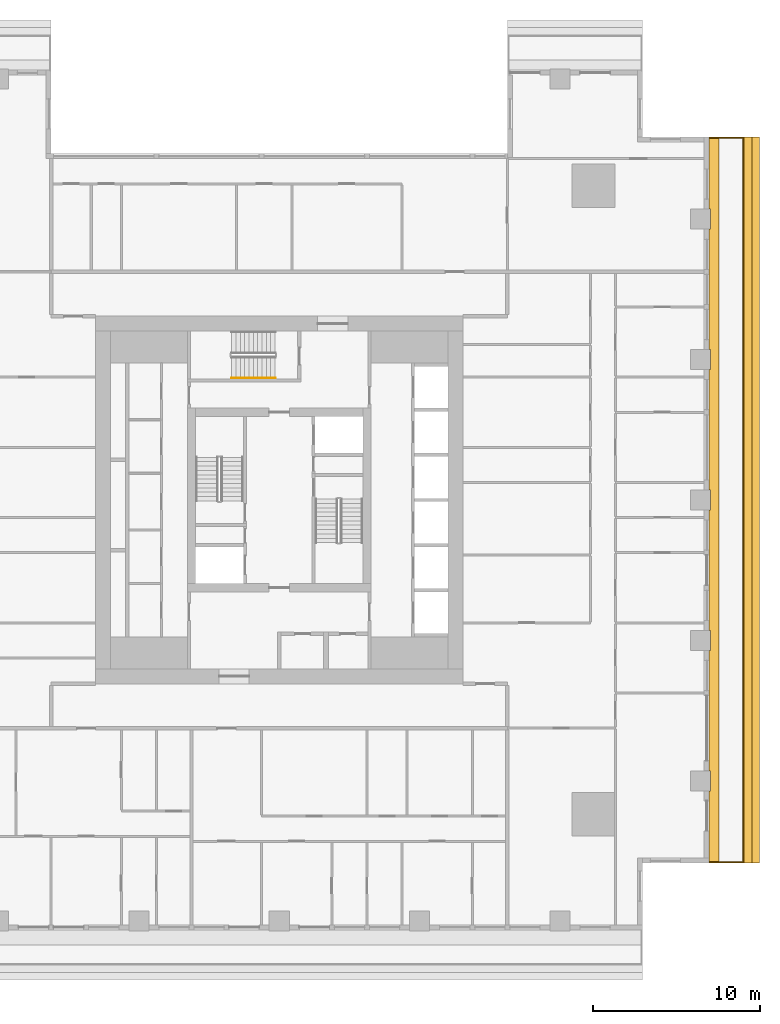
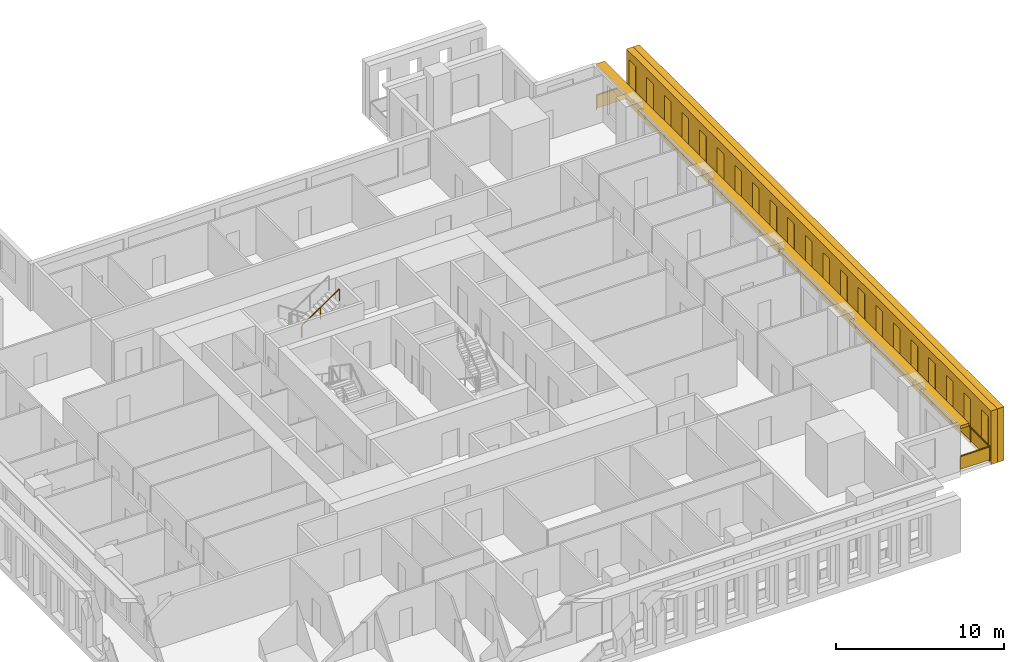
# One storey, part 14 of 16: 3 shading devices, 2 railings.
"""IFC4 building model written with IfcOpenShell, lengths in metres."""

from ifc_helpers import new_model, si_unit, direction, frame, origin, origin_2d, place, context, subcontext, project, spatial, polyline, rectangle, outline, extrude, material, layer, layer_set, type_object, element, save


model = new_model("IFC4")

# Units and contexts
model_context = context("Model", 3, precision=1e-05, world=origin(), true_north=direction((0.0, 1.0)))
body_context = subcontext(model_context, "Body", "Model", "MODEL_VIEW")
ifc_project = project(units=[si_unit("LENGTHUNIT", "METRE"), si_unit("AREAUNIT", "SQUARE_METRE"), si_unit("VOLUMEUNIT", "CUBIC_METRE"), si_unit("PLANEANGLEUNIT", "RADIAN"), si_unit("MASSUNIT", "GRAM", prefix="KILO")], contexts=[model_context])

# Site, building, storey
site_placement = place(None, origin())
site = spatial("IfcSite", under=ifc_project, at=site_placement, CompositionType="ELEMENT")
building_placement = place(site_placement, origin())
building = spatial("IfcBuilding", under=site, at=building_placement, Name="Khepri Terraces", CompositionType="ELEMENT")
storey_placement = place(building_placement, frame((0.0, 0.0, 176.699951171875)))
storey = spatial("IfcBuildingStorey", under=building, at=storey_placement, Name="L42", CompositionType="ELEMENT", Elevation=176.699951171875)

# Railings
ifc_material_1 = material(Name="Stainless steel grade 316", Category="steel")
railing_type_1 = type_object("IfcRailingType", Name="GRD-BAL-1100", PredefinedType="GUARDRAIL", material=ifc_material_1)
railing_1_placement = place(storey_placement, frame((25.719970703125, -21.669921875, 0.0)))
element("IfcRailing", 1, at=railing_1_placement, inside=storey, type_object=railing_type_1, Name="Balcony guard L42 E", PredefinedType="GUARDRAIL", context=body_context, shape_type="SweptSolid", body=[
    extrude(rectangle(XDim=0.050048828125, YDim=0.06005859375, at=origin_2d()), frame((0.0, 0.0, 1.070068359375), z_axis=(1.0, 0.0, 0.0), x_axis=(0.0, 1.0, 0.0)), (0.0, 0.0, 1.0), 2.050048828125),
    extrude(rectangle(XDim=2.0, YDim=0.011962890625, at=origin_2d()), frame((1.02490234375, 0.0, 0.10009765625), z_axis=(0.0, 0.0, 1.0), x_axis=(1.0, 0.0, 0.0)), (0.0, 0.0, 1.0), 0.93994140625),
    extrude(rectangle(XDim=0.050048828125, YDim=0.06005859375, at=origin_2d()), frame((2.050048828125, 0.0, 1.070068359375), z_axis=(0.0, 1.0, 0.0), x_axis=(-1.0, 0.0, 0.0)), (0.0, 0.0, 1.0), 43.33984375),
    extrude(rectangle(XDim=2.23095703125, YDim=0.011962890625, at=origin_2d()), frame((2.050048828125, 1.140625, 0.10009765625), z_axis=(0.0, 0.0, 1.0), x_axis=(0.0, 1.0, 0.0)), (0.0, 0.0, 1.0), 0.93994140625),
    extrude(rectangle(XDim=2.23095703125, YDim=0.011962890625, at=origin_2d()), frame((2.050048828125, 3.421630859375, 0.10009765625), z_axis=(0.0, 0.0, 1.0), x_axis=(0.0, 1.0, 0.0)), (0.0, 0.0, 1.0), 0.93994140625),
    extrude(rectangle(XDim=2.23095703125, YDim=0.011962890625, at=origin_2d()), frame((2.050048828125, 5.70263671875, 0.10009765625), z_axis=(0.0, 0.0, 1.0), x_axis=(0.0, 1.0, 0.0)), (0.0, 0.0, 1.0), 0.93994140625),
    extrude(rectangle(XDim=2.23095703125, YDim=0.011962890625, at=origin_2d()), frame((2.050048828125, 7.983642578125, 0.10009765625), z_axis=(0.0, 0.0, 1.0), x_axis=(0.0, 1.0, 0.0)), (0.0, 0.0, 1.0), 0.93994140625),
    extrude(rectangle(XDim=2.23095703125, YDim=0.011962890625, at=origin_2d()), frame((2.050048828125, 10.2646484375, 0.10009765625), z_axis=(0.0, 0.0, 1.0), x_axis=(0.0, 1.0, 0.0)), (0.0, 0.0, 1.0), 0.93994140625),
    extrude(rectangle(XDim=2.23095703125, YDim=0.011962890625, at=origin_2d()), frame((2.050048828125, 12.545654296875, 0.10009765625), z_axis=(0.0, 0.0, 1.0), x_axis=(0.0, 1.0, 0.0)), (0.0, 0.0, 1.0), 0.93994140625),
    extrude(rectangle(XDim=2.23095703125, YDim=0.011962890625, at=origin_2d()), frame((2.050048828125, 14.826904296875, 0.10009765625), z_axis=(0.0, 0.0, 1.0), x_axis=(0.0, 1.0, 0.0)), (0.0, 0.0, 1.0), 0.93994140625),
    extrude(rectangle(XDim=2.23095703125, YDim=0.011962890625, at=origin_2d()), frame((2.050048828125, 17.10791015625, 0.10009765625), z_axis=(0.0, 0.0, 1.0), x_axis=(0.0, 1.0, 0.0)), (0.0, 0.0, 1.0), 0.93994140625),
    extrude(rectangle(XDim=2.23095703125, YDim=0.011962890625, at=origin_2d()), frame((2.050048828125, 19.388916015625, 0.10009765625), z_axis=(0.0, 0.0, 1.0), x_axis=(0.0, 1.0, 0.0)), (0.0, 0.0, 1.0), 0.93994140625),
    extrude(rectangle(XDim=2.23095703125, YDim=0.011962890625, at=origin_2d()), frame((2.050048828125, 21.669921875, 0.10009765625), z_axis=(0.0, 0.0, 1.0), x_axis=(0.0, 1.0, 0.0)), (0.0, 0.0, 1.0), 0.93994140625),
    extrude(rectangle(XDim=2.23095703125, YDim=0.011962890625, at=origin_2d()), frame((2.050048828125, 23.950927734375, 0.10009765625), z_axis=(0.0, 0.0, 1.0), x_axis=(0.0, 1.0, 0.0)), (0.0, 0.0, 1.0), 0.93994140625),
    extrude(rectangle(XDim=2.23095703125, YDim=0.011962890625, at=origin_2d()), frame((2.050048828125, 26.23193359375, 0.10009765625), z_axis=(0.0, 0.0, 1.0), x_axis=(0.0, 1.0, 0.0)), (0.0, 0.0, 1.0), 0.93994140625),
    extrude(rectangle(XDim=2.23095703125, YDim=0.011962890625, at=origin_2d()), frame((2.050048828125, 28.512939453125, 0.10009765625), z_axis=(0.0, 0.0, 1.0), x_axis=(0.0, 1.0, 0.0)), (0.0, 0.0, 1.0), 0.93994140625),
    extrude(rectangle(XDim=2.23095703125, YDim=0.011962890625, at=origin_2d()), frame((2.050048828125, 30.794189453125, 0.10009765625), z_axis=(0.0, 0.0, 1.0), x_axis=(0.0, 1.0, 0.0)), (0.0, 0.0, 1.0), 0.93994140625),
    extrude(rectangle(XDim=2.23095703125, YDim=0.011962890625, at=origin_2d()), frame((2.050048828125, 33.0751953125, 0.10009765625), z_axis=(0.0, 0.0, 1.0), x_axis=(0.0, 1.0, 0.0)), (0.0, 0.0, 1.0), 0.93994140625),
    extrude(rectangle(XDim=2.23095703125, YDim=0.011962890625, at=origin_2d()), frame((2.050048828125, 35.356201171875, 0.10009765625), z_axis=(0.0, 0.0, 1.0), x_axis=(0.0, 1.0, 0.0)), (0.0, 0.0, 1.0), 0.93994140625),
    extrude(rectangle(XDim=2.23095703125, YDim=0.011962890625, at=origin_2d()), frame((2.050048828125, 37.63720703125, 0.10009765625), z_axis=(0.0, 0.0, 1.0), x_axis=(0.0, 1.0, 0.0)), (0.0, 0.0, 1.0), 0.93994140625),
    extrude(rectangle(XDim=2.23095703125, YDim=0.011962890625, at=origin_2d()), frame((2.050048828125, 39.918212890625, 0.10009765625), z_axis=(0.0, 0.0, 1.0), x_axis=(0.0, 1.0, 0.0)), (0.0, 0.0, 1.0), 0.93994140625),
    extrude(rectangle(XDim=2.23095703125, YDim=0.011962890625, at=origin_2d()), frame((2.050048828125, 42.19921875, 0.10009765625), z_axis=(0.0, 0.0, 1.0), x_axis=(0.0, 1.0, 0.0)), (0.0, 0.0, 1.0), 0.93994140625),
    extrude(rectangle(XDim=0.050048828125, YDim=0.06005859375, at=origin_2d()), frame((2.050048828125, 43.33984375, 1.070068359375), z_axis=(-1.0, 0.0, 0.0), x_axis=(0.0, -1.0, 0.0)), (0.0, 0.0, 1.0), 2.050048828125),
    extrude(rectangle(XDim=2.0, YDim=0.011962890625, at=origin_2d()), frame((1.02490234375, 43.33984375, 0.10009765625), z_axis=(0.0, 0.0, 1.0), x_axis=(-1.0, 0.0, 0.0)), (0.0, 0.0, 1.0), 0.93994140625),
    extrude(rectangle(XDim=0.050048828125, YDim=0.050048828125, at=origin_2d()), origin(), (0.0, 0.0, 1.0), 1.0400390625),
    extrude(rectangle(XDim=0.050048828125, YDim=0.050048828125, at=origin_2d()), frame((2.050048828125, 0.0, 0.0)), (0.0, 0.0, 1.0), 1.0400390625),
    extrude(rectangle(XDim=0.050048828125, YDim=0.050048828125, at=origin_2d()), frame((2.050048828125, 2.281005859375, 0.0)), (0.0, 0.0, 1.0), 1.0400390625),
    extrude(rectangle(XDim=0.050048828125, YDim=0.050048828125, at=origin_2d()), frame((2.050048828125, 4.56201171875, 0.0)), (0.0, 0.0, 1.0), 1.0400390625),
    extrude(rectangle(XDim=0.050048828125, YDim=0.050048828125, at=origin_2d()), frame((2.050048828125, 6.843017578125, 0.0)), (0.0, 0.0, 1.0), 1.0400390625),
    extrude(rectangle(XDim=0.050048828125, YDim=0.050048828125, at=origin_2d()), frame((2.050048828125, 9.124267578125, 0.0)), (0.0, 0.0, 1.0), 1.0400390625),
    extrude(rectangle(XDim=0.050048828125, YDim=0.050048828125, at=origin_2d()), frame((2.050048828125, 11.4052734375, 0.0)), (0.0, 0.0, 1.0), 1.0400390625),
    extrude(rectangle(XDim=0.050048828125, YDim=0.050048828125, at=origin_2d()), frame((2.050048828125, 13.686279296875, 0.0)), (0.0, 0.0, 1.0), 1.0400390625),
    extrude(rectangle(XDim=0.050048828125, YDim=0.050048828125, at=origin_2d()), frame((2.050048828125, 15.96728515625, 0.0)), (0.0, 0.0, 1.0), 1.0400390625),
    extrude(rectangle(XDim=0.050048828125, YDim=0.050048828125, at=origin_2d()), frame((2.050048828125, 18.248291015625, 0.0)), (0.0, 0.0, 1.0), 1.0400390625),
    extrude(rectangle(XDim=0.050048828125, YDim=0.050048828125, at=origin_2d()), frame((2.050048828125, 20.529296875, 0.0)), (0.0, 0.0, 1.0), 1.0400390625),
    extrude(rectangle(XDim=0.050048828125, YDim=0.050048828125, at=origin_2d()), frame((2.050048828125, 22.810546875, 0.0)), (0.0, 0.0, 1.0), 1.0400390625),
    extrude(rectangle(XDim=0.050048828125, YDim=0.050048828125, at=origin_2d()), frame((2.050048828125, 25.091552734375, 0.0)), (0.0, 0.0, 1.0), 1.0400390625),
    extrude(rectangle(XDim=0.050048828125, YDim=0.050048828125, at=origin_2d()), frame((2.050048828125, 27.37255859375, 0.0)), (0.0, 0.0, 1.0), 1.0400390625),
    extrude(rectangle(XDim=0.050048828125, YDim=0.050048828125, at=origin_2d()), frame((2.050048828125, 29.653564453125, 0.0)), (0.0, 0.0, 1.0), 1.0400390625),
    extrude(rectangle(XDim=0.050048828125, YDim=0.050048828125, at=origin_2d()), frame((2.050048828125, 31.9345703125, 0.0)), (0.0, 0.0, 1.0), 1.0400390625),
    extrude(rectangle(XDim=0.050048828125, YDim=0.050048828125, at=origin_2d()), frame((2.050048828125, 34.215576171875, 0.0)), (0.0, 0.0, 1.0), 1.0400390625),
    extrude(rectangle(XDim=0.050048828125, YDim=0.050048828125, at=origin_2d()), frame((2.050048828125, 36.496826171875, 0.0)), (0.0, 0.0, 1.0), 1.0400390625),
    extrude(rectangle(XDim=0.050048828125, YDim=0.050048828125, at=origin_2d()), frame((2.050048828125, 38.77783203125, 0.0)), (0.0, 0.0, 1.0), 1.0400390625),
    extrude(rectangle(XDim=0.050048828125, YDim=0.050048828125, at=origin_2d()), frame((2.050048828125, 41.058837890625, 0.0)), (0.0, 0.0, 1.0), 1.0400390625),
    extrude(rectangle(XDim=0.050048828125, YDim=0.050048828125, at=origin_2d()), frame((2.050048828125, 43.33984375, 0.0)), (0.0, 0.0, 1.0), 1.0400390625),
    extrude(rectangle(XDim=0.050048828125, YDim=0.050048828125, at=origin_2d()), frame((0.0, 43.33984375, 0.0)), (0.0, 0.0, 1.0), 1.0400390625),
])
ifc_material_2 = material(Name="Stainless steel 316", Category="steel")
railing_type_2 = type_object("IfcRailingType", Name="RL-CORE-HANDRAIL", PredefinedType="HANDRAIL", material=ifc_material_2)
railing_2_placement = place(storey_placement, frame((-2.85009765625, 7.300048828125, 2.12744140625)))
element("IfcRailing", 2, at=railing_2_placement, inside=storey, type_object=railing_type_2, Name="L42 ST-3 stair handrail 2", PredefinedType="HANDRAIL", context=body_context, shape_type="SweptSolid", body=[
    extrude(rectangle(XDim=0.050048828125, YDim=0.050048828125, at=origin_2d()), frame((0.0, 0.0, 0.875), z_axis=(0.826240473404, 0.0, 0.563317565952), x_axis=(0.0, 1.0, 0.0)), (0.0, 0.0, 1.0), 3.14697265625),
    extrude(rectangle(XDim=0.050048828125, YDim=0.050048828125, at=origin_2d()), origin(), (0.0, 0.0, 1.0), 0.849853515625),
    extrude(rectangle(XDim=0.050048828125, YDim=0.050048828125, at=origin_2d()), frame((1.300048828125, 0.0, 0.88623046875)), (0.0, 0.0, 1.0), 0.849853515625),
    extrude(rectangle(XDim=0.050048828125, YDim=0.050048828125, at=origin_2d()), frame((2.60009765625, 0.0, 1.772705078125)), (0.0, 0.0, 1.0), 0.849853515625),
])

# Shading devices
ifc_material_3 = material(Name="Precast concrete C50/60 warm stone", Category="masonry")
shading_device_type_1 = type_object("IfcShadingDeviceType", Name="SCR-CELL-INNER-450", PredefinedType="USERDEFINED", material=ifc_material_3)
shading_device_1_placement = place(storey_placement, frame((27.820068359375, -21.719970703125, -0.25), z_axis=(1.0, 0.0, 0.0), x_axis=(0.0, 1.0, 0.0)))
element("IfcShadingDevice", 3, at=shading_device_1_placement, inside=storey, type_object=shading_device_type_1, Name="Cell screen L42 E in", ObjectType="SCREEN", PredefinedType="USERDEFINED", context=body_context, shape_type="SweptSolid", body=[
    extrude(outline(polyline([(0.0, 0.0), (43.43994140625, 0.0), (43.43994140625, 3.89990234375), (0.0, 3.89990234375), (0.0, 0.0)]), holes=[polyline([(0.318359375, 0.699951171875), (1.12158203125, 0.699951171875), (1.12158203125, 3.300048828125), (0.318359375, 3.300048828125), (0.318359375, 0.699951171875)]), polyline([(2.41845703125, 0.699951171875), (3.2216796875, 0.699951171875), (3.2216796875, 3.300048828125), (2.41845703125, 3.300048828125), (2.41845703125, 0.699951171875)]), polyline([(4.518310546875, 0.699951171875), (5.321533203125, 0.699951171875), (5.321533203125, 3.300048828125), (4.518310546875, 3.300048828125), (4.518310546875, 0.699951171875)]), polyline([(6.618408203125, 0.699951171875), (7.421630859375, 0.699951171875), (7.421630859375, 3.300048828125), (6.618408203125, 3.300048828125), (6.618408203125, 0.699951171875)]), polyline([(8.718505859375, 0.699951171875), (9.521484375, 0.699951171875), (9.521484375, 3.300048828125), (8.718505859375, 3.300048828125), (8.718505859375, 0.699951171875)]), polyline([(10.818359375, 0.699951171875), (11.62158203125, 0.699951171875), (11.62158203125, 3.300048828125), (10.818359375, 3.300048828125), (10.818359375, 0.699951171875)]), polyline([(12.91845703125, 0.699951171875), (13.7216796875, 0.699951171875), (13.7216796875, 3.300048828125), (12.91845703125, 3.300048828125), (12.91845703125, 0.699951171875)]), polyline([(15.018310546875, 0.699951171875), (15.821533203125, 0.699951171875), (15.821533203125, 3.300048828125), (15.018310546875, 3.300048828125), (15.018310546875, 0.699951171875)]), polyline([(17.118408203125, 0.699951171875), (17.921630859375, 0.699951171875), (17.921630859375, 3.300048828125), (17.118408203125, 3.300048828125), (17.118408203125, 0.699951171875)]), polyline([(19.218505859375, 0.699951171875), (20.021484375, 0.699951171875), (20.021484375, 3.300048828125), (19.218505859375, 3.300048828125), (19.218505859375, 0.699951171875)]), polyline([(21.318359375, 0.699951171875), (22.12158203125, 0.699951171875), (22.12158203125, 3.300048828125), (21.318359375, 3.300048828125), (21.318359375, 0.699951171875)]), polyline([(23.41845703125, 0.699951171875), (24.2216796875, 0.699951171875), (24.2216796875, 3.300048828125), (23.41845703125, 3.300048828125), (23.41845703125, 0.699951171875)]), polyline([(25.518310546875, 0.699951171875), (26.321533203125, 0.699951171875), (26.321533203125, 3.300048828125), (25.518310546875, 3.300048828125), (25.518310546875, 0.699951171875)]), polyline([(27.618408203125, 0.699951171875), (28.421630859375, 0.699951171875), (28.421630859375, 3.300048828125), (27.618408203125, 3.300048828125), (27.618408203125, 0.699951171875)]), polyline([(29.718505859375, 0.699951171875), (30.521484375, 0.699951171875), (30.521484375, 3.300048828125), (29.718505859375, 3.300048828125), (29.718505859375, 0.699951171875)]), polyline([(31.818359375, 0.699951171875), (32.62158203125, 0.699951171875), (32.62158203125, 3.300048828125), (31.818359375, 3.300048828125), (31.818359375, 0.699951171875)]), polyline([(33.91845703125, 0.699951171875), (34.7216796875, 0.699951171875), (34.7216796875, 3.300048828125), (33.91845703125, 3.300048828125), (33.91845703125, 0.699951171875)]), polyline([(36.018310546875, 0.699951171875), (36.821533203125, 0.699951171875), (36.821533203125, 3.300048828125), (36.018310546875, 3.300048828125), (36.018310546875, 0.699951171875)]), polyline([(38.118408203125, 0.699951171875), (38.921630859375, 0.699951171875), (38.921630859375, 3.300048828125), (38.118408203125, 3.300048828125), (38.118408203125, 0.699951171875)]), polyline([(40.218505859375, 0.699951171875), (41.021484375, 0.699951171875), (41.021484375, 3.300048828125), (40.218505859375, 3.300048828125), (40.218505859375, 0.699951171875)]), polyline([(42.318359375, 0.699951171875), (43.12158203125, 0.699951171875), (43.12158203125, 3.300048828125), (42.318359375, 3.300048828125), (42.318359375, 0.699951171875)])]), origin(), (0.0, 0.0, 1.0), 0.449951171875),
])
shading_device_type_2 = type_object("IfcShadingDeviceType", Name="SCR-CELL-OUTER-450", PredefinedType="USERDEFINED", material=ifc_material_3)
shading_device_2_placement = place(storey_placement, frame((28.27001953125, -21.719970703125, -0.25), z_axis=(1.0, 0.0, 0.0), x_axis=(0.0, 1.0, 0.0)))
element("IfcShadingDevice", 4, at=shading_device_2_placement, inside=storey, type_object=shading_device_type_2, Name="Cell screen L42 E out", ObjectType="SCREEN", PredefinedType="USERDEFINED", context=body_context, shape_type="SweptSolid", body=[
    extrude(outline(polyline([(0.0, 0.0), (43.43994140625, 0.0), (43.43994140625, 3.89990234375), (0.0, 3.89990234375), (0.0, 0.0)]), holes=[polyline([(2.068359375, 0.449951171875), (3.571533203125, 0.449951171875), (3.571533203125, 3.550048828125), (2.068359375, 3.550048828125), (2.068359375, 0.449951171875)]), polyline([(4.16845703125, 0.449951171875), (5.671630859375, 0.449951171875), (5.671630859375, 3.550048828125), (4.16845703125, 3.550048828125), (4.16845703125, 0.449951171875)]), polyline([(6.268310546875, 0.449951171875), (7.771484375, 0.449951171875), (7.771484375, 3.550048828125), (6.268310546875, 3.550048828125), (6.268310546875, 0.449951171875)]), polyline([(8.368408203125, 0.449951171875), (9.87158203125, 0.449951171875), (9.87158203125, 3.550048828125), (8.368408203125, 3.550048828125), (8.368408203125, 0.449951171875)]), polyline([(10.468505859375, 0.449951171875), (11.9716796875, 0.449951171875), (11.9716796875, 3.550048828125), (10.468505859375, 3.550048828125), (10.468505859375, 0.449951171875)]), polyline([(12.568359375, 0.449951171875), (14.071533203125, 0.449951171875), (14.071533203125, 3.550048828125), (12.568359375, 3.550048828125), (12.568359375, 0.449951171875)]), polyline([(14.66845703125, 0.449951171875), (16.171630859375, 0.449951171875), (16.171630859375, 3.550048828125), (14.66845703125, 3.550048828125), (14.66845703125, 0.449951171875)]), polyline([(16.768310546875, 0.449951171875), (18.271484375, 0.449951171875), (18.271484375, 3.550048828125), (16.768310546875, 3.550048828125), (16.768310546875, 0.449951171875)]), polyline([(18.868408203125, 0.449951171875), (20.37158203125, 0.449951171875), (20.37158203125, 3.550048828125), (18.868408203125, 3.550048828125), (18.868408203125, 0.449951171875)]), polyline([(20.968505859375, 0.449951171875), (22.4716796875, 0.449951171875), (22.4716796875, 3.550048828125), (20.968505859375, 3.550048828125), (20.968505859375, 0.449951171875)]), polyline([(23.068359375, 0.449951171875), (24.571533203125, 0.449951171875), (24.571533203125, 3.550048828125), (23.068359375, 3.550048828125), (23.068359375, 0.449951171875)]), polyline([(25.16845703125, 0.449951171875), (26.671630859375, 0.449951171875), (26.671630859375, 3.550048828125), (25.16845703125, 3.550048828125), (25.16845703125, 0.449951171875)]), polyline([(27.268310546875, 0.449951171875), (28.771484375, 0.449951171875), (28.771484375, 3.550048828125), (27.268310546875, 3.550048828125), (27.268310546875, 0.449951171875)]), polyline([(29.368408203125, 0.449951171875), (30.87158203125, 0.449951171875), (30.87158203125, 3.550048828125), (29.368408203125, 3.550048828125), (29.368408203125, 0.449951171875)]), polyline([(31.468505859375, 0.449951171875), (32.9716796875, 0.449951171875), (32.9716796875, 3.550048828125), (31.468505859375, 3.550048828125), (31.468505859375, 0.449951171875)]), polyline([(33.568359375, 0.449951171875), (35.071533203125, 0.449951171875), (35.071533203125, 3.550048828125), (33.568359375, 3.550048828125), (33.568359375, 0.449951171875)]), polyline([(35.66845703125, 0.449951171875), (37.171630859375, 0.449951171875), (37.171630859375, 3.550048828125), (35.66845703125, 3.550048828125), (35.66845703125, 0.449951171875)]), polyline([(37.768310546875, 0.449951171875), (39.271484375, 0.449951171875), (39.271484375, 3.550048828125), (37.768310546875, 3.550048828125), (37.768310546875, 0.449951171875)]), polyline([(39.868408203125, 0.449951171875), (41.37158203125, 0.449951171875), (41.37158203125, 3.550048828125), (39.868408203125, 3.550048828125), (39.868408203125, 0.449951171875)])]), origin(), (0.0, 0.0, 1.0), 0.449951171875),
])
ifc_layer = layer(ifc_material_3, 0.199951171875, Name="Precast concrete C50/60 warm stone", Category="masonry")
ifc_layer_set = layer_set([ifc_layer], Name="Precast concrete C50/60 warm stone")
shading_device_type_3 = type_object("IfcShadingDeviceType", Name="SSH-BAND-STONE-200-N", PredefinedType="USERDEFINED", material=ifc_layer_set)
shading_device_3_placement = place(storey_placement, frame((0.0, 0.0, 3.10009765625)))
element("IfcShadingDevice", 5, at=shading_device_3_placement, inside=storey, type_object=shading_device_type_3, Name="Sunshade band L42 E", ObjectType="SUNSHADE", PredefinedType="USERDEFINED", context=body_context, shape_type="SweptSolid", body=[
    extrude(outline(polyline([(25.719970703125, -17.39990234375), (25.719970703125, -21.719970703125), (26.320068359375, -21.719970703125), (26.320068359375, 21.719970703125), (25.719970703125, 21.719970703125), (25.719970703125, 17.39990234375), (25.800048828125, 17.39990234375), (25.800048828125, 16.199951171875), (25.719970703125, 16.199951171875), (25.719970703125, 9.0), (25.800048828125, 9.0), (25.800048828125, 7.800048828125), (25.719970703125, 7.800048828125), (25.719970703125, 0.60009765625), (25.800048828125, 0.60009765625), (25.800048828125, -0.60009765625), (25.719970703125, -0.60009765625), (25.719970703125, -7.800048828125), (25.800048828125, -7.800048828125), (25.800048828125, -9.0), (25.719970703125, -9.0), (25.719970703125, -16.199951171875), (25.800048828125, -16.199951171875), (25.800048828125, -17.39990234375), (25.719970703125, -17.39990234375)])), origin(), (0.0, 0.0, 1.0), 0.199951171875),
])

save(model, "model.ifc")
